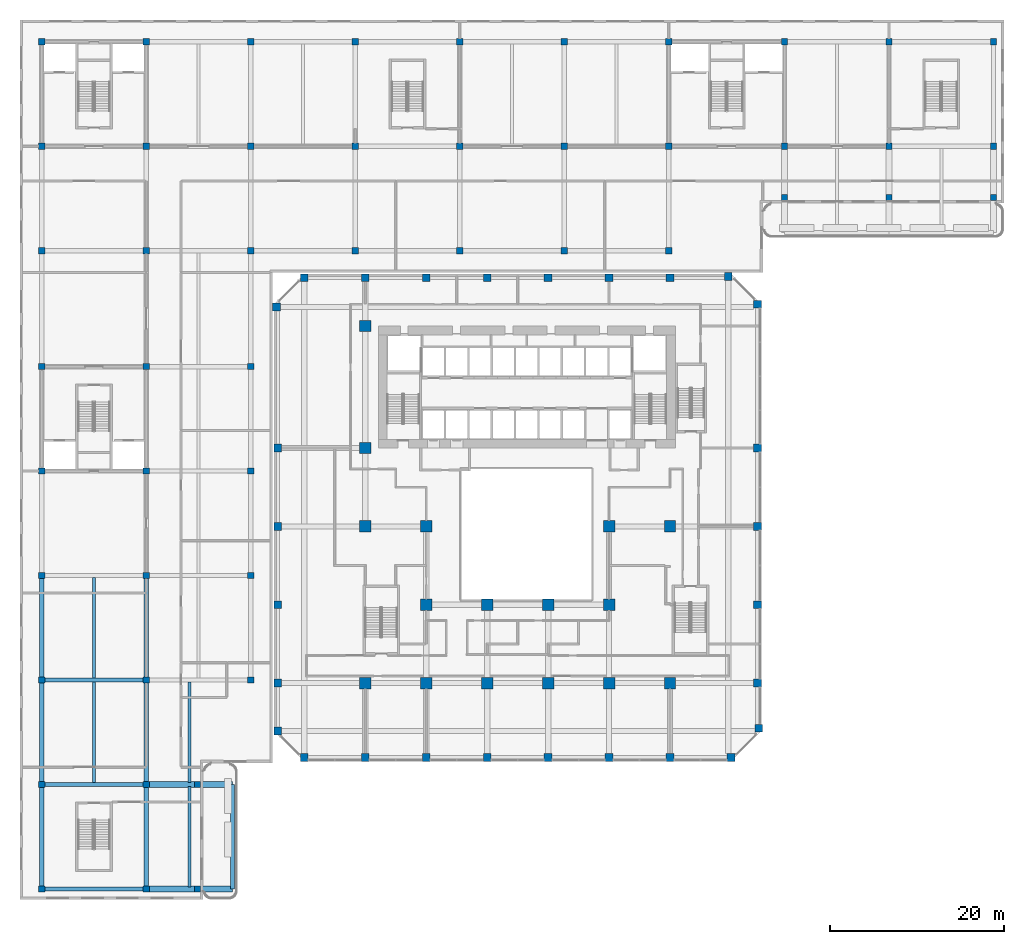
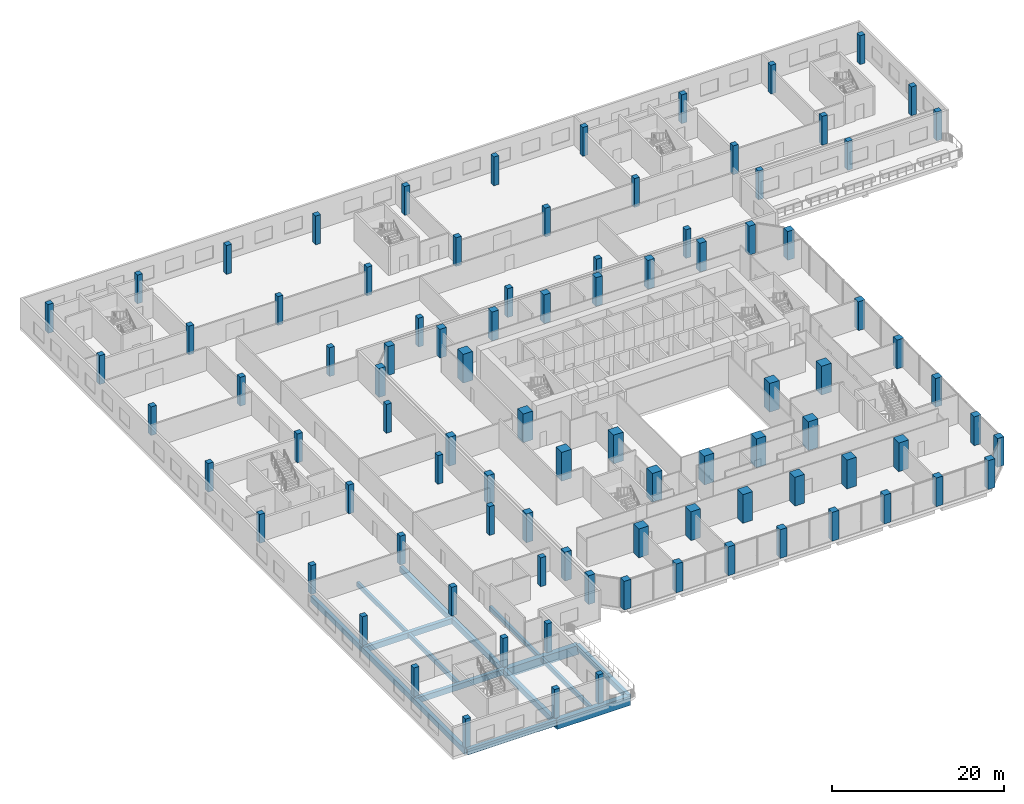
# One storey, part 1 of 36: 92 columns, 16 beams.
"""IFC4 building model written with IfcOpenShell, lengths in metres."""

from ifc_helpers import new_model, si_unit, direction, frame, origin, origin_2d, place, context, subcontext, project, spatial, rectangle, extrude, source, transform, mapped, material, material_profile, profile_set, type_object, element, save


model = new_model("IFC4")

# Units and contexts
model_context = context("Model", 3, precision=1e-05, world=origin(), true_north=direction((0.0, 1.0)))
body_context = subcontext(model_context, "Body", "Model", "MODEL_VIEW")
ifc_project = project(units=[si_unit("LENGTHUNIT", "METRE"), si_unit("AREAUNIT", "SQUARE_METRE"), si_unit("VOLUMEUNIT", "CUBIC_METRE"), si_unit("PLANEANGLEUNIT", "RADIAN"), si_unit("MASSUNIT", "GRAM", prefix="KILO")], contexts=[model_context])

# Site, building, storey
site_placement = place(None, origin())
site = spatial("IfcSite", under=ifc_project, at=site_placement, CompositionType="ELEMENT")
building_placement = place(site_placement, origin())
building = spatial("IfcBuilding", under=site, at=building_placement, Name="Kilnfold Tower and Market Hall", CompositionType="ELEMENT")
storey_placement = place(building_placement, frame((0.0, 0.0, 18.0)))
storey = spatial("IfcBuildingStorey", under=building, at=storey_placement, Name="L03", CompositionType="ELEMENT", Elevation=18.0)

# Columns
ifc_material_1 = material(Name="Concrete C80", Category="concrete")
ifc_material_profile_1 = material_profile(ifc_material_1, rectangle(XDim=0.89990234375, YDim=0.89990234375, at=origin_2d()), Name="RC 900x900")
ifc_profile_set_1 = profile_set([ifc_material_profile_1], Name="Concrete C80")
column_type_1 = type_object("IfcColumnType", Name="COLUMN 900X900 C80", PredefinedType="COLUMN", material=ifc_profile_set_1)
shared_shape_1 = source(origin(), body_context, "Body", "SweptSolid", [
    extrude(rectangle(XDim=0.89990234375, YDim=0.89990234375, at=origin_2d()), origin(), (0.0, 0.0, 1.0), 4.10009765625),
])
for number, where, z_axis, x_axis, name in (
    (1, (-27.681884765625, 24.181884765625, 0.0), (0.0, 0.0, 1.0), (1.0, 0.0, 0.0), "Column C-B1-1H"),
    (2, (-27.550048828125, -24.5, 0.0), (0.0, 0.0, 1.0), (1.0, 0.0, 0.0), "Column C-B1-1B"),
    (3, (-27.550048828125, -19.0, 0.0), (0.0, 0.0, 1.0), (1.0, 0.0, 0.0), "Column C-B1-1C"),
    (4, (-27.550048828125, -10.0, 0.0), (0.0, 0.0, 1.0), (1.0, 0.0, 0.0), "Column C-B1-1D"),
    (5, (-27.550048828125, -1.0, 0.0), (0.0, 0.0, 1.0), (1.0, 0.0, 0.0), "Column C-B1-1E"),
    (6, (-27.550048828125, 8.0, 0.0), (0.0, 0.0, 1.0), (1.0, 0.0, 0.0), "Column C-B1-1F"),
    (7, (-24.5, -27.550048828125, 0.0), (0.0, 0.0, 1.0), (1.0, 0.0, 0.0), "Column C-B1-2A"),
    (8, (-24.5, 27.550048828125, 0.0), (0.0, 0.0, 1.0), (1.0, 0.0, 0.0), "Column C-B1-2I"),
    (9, (-17.5, -27.550048828125, 0.0), (0.0, 0.0, 1.0), (1.0, 0.0, 0.0), "Column C-B1-3A"),
    (10, (-17.5, 27.550048828125, 0.0), (0.0, 0.0, 1.0), (1.0, 0.0, 0.0), "Column C-B1-3I"),
    (11, (-10.5, -27.550048828125, 0.0), (0.0, 0.0, 1.0), (1.0, 0.0, 0.0), "Column C-B1-4A"),
    (12, (-10.5, 27.550048828125, 0.0), (0.0, 0.0, 1.0), (1.0, 0.0, 0.0), "Column C-B1-4I"),
    (13, (-3.5, -27.550048828125, 0.0), (0.0, 0.0, 1.0), (1.0, 0.0, 0.0), "Column C-B1-5A"),
    (14, (-3.5, 27.550048828125, 0.0), (0.0, 0.0, 1.0), (1.0, 0.0, 0.0), "Column C-B1-5I"),
    (15, (3.5, -27.550048828125, 0.0), (0.0, 0.0, 1.0), (1.0, 0.0, 0.0), "Column C-B1-6A"),
    (16, (3.5, 27.550048828125, 0.0), (0.0, 0.0, 1.0), (1.0, 0.0, 0.0), "Column C-B1-6I"),
    (17, (10.5, -27.550048828125, 0.0), (0.0, 0.0, 1.0), (1.0, 0.0, 0.0), "Column C-B1-7A"),
    (18, (10.5, 27.550048828125, 0.0), (0.0, 0.0, 1.0), (1.0, 0.0, 0.0), "Column C-B1-7I"),
    (19, (17.5, -27.550048828125, 0.0), (0.0, 0.0, 1.0), (1.0, 0.0, 0.0), "Column C-B1-8A"),
    (20, (17.5, 27.550048828125, 0.0), (0.0, 0.0, 1.0), (1.0, 0.0, 0.0), "Column C-B1-8I"),
    (21, (24.181884765625, 27.681884765625, 0.0), (0.0, 0.0, 1.0), (1.0, 0.0, 0.0), "Column C-B1-9I"),
    (22, (24.5, -27.550048828125, 0.0), (0.0, 0.0, 1.0), (1.0, 0.0, 0.0), "Column C-B1-9A"),
    (23, (27.550048828125, -19.0, 0.0), (0.0, 0.0, 1.0), (1.0, 0.0, 0.0), "Column C-B1-10C"),
    (24, (27.550048828125, -10.0, 0.0), (0.0, 0.0, 1.0), (1.0, 0.0, 0.0), "Column C-B1-10D"),
    (25, (27.550048828125, -1.0, 0.0), (0.0, 0.0, 1.0), (1.0, 0.0, 0.0), "Column C-B1-10E"),
    (26, (27.550048828125, 8.0, 0.0), (0.0, 0.0, 1.0), (1.0, 0.0, 0.0), "Column C-B1-10F"),
    (27, (27.550048828125, 24.5, 0.0), (0.0, 0.0, 1.0), (1.0, 0.0, 0.0), "Column C-B1-10H"),
    (28, (27.681884765625, -24.181884765625, 0.0), (0.0, 0.0, 1.0), (1.0, 0.0, 0.0), "Column C-B1-10B"),
):
    element("IfcColumn", number, at=place(storey_placement, frame(where, z_axis=z_axis, x_axis=x_axis)), inside=storey, type_object=column_type_1, Name=name, PredefinedType="COLUMN", context=body_context, shape_type="MappedRepresentation", body=[
        mapped(shared_shape_1, transform((0.0, 0.0, 0.0))),
    ])
ifc_material_2 = material(Name="Concrete C80", Category="concrete")
ifc_material_profile_2 = material_profile(ifc_material_2, rectangle(XDim=1.300048828125, YDim=1.300048828125, at=origin_2d()), Name="RC 1300x1300")
ifc_profile_set_2 = profile_set([ifc_material_profile_2], Name="Concrete C80")
column_type_2 = type_object("IfcColumnType", Name="COLUMN 1300X1300 C80", PredefinedType="COLUMN", material=ifc_profile_set_2)
shared_shape_2 = source(origin(), body_context, "Body", "SweptSolid", [
    extrude(rectangle(XDim=1.300048828125, YDim=1.300048828125, at=origin_2d()), origin(), (0.0, 0.0, 1.0), 4.10009765625),
])
for number, where, z_axis, x_axis, name in (
    (29, (-17.5, -19.0, 0.0), (0.0, 0.0, 1.0), (1.0, 0.0, 0.0), "Column C-B1-3C"),
    (30, (-17.5, -1.0, 0.0), (0.0, 0.0, 1.0), (1.0, 0.0, 0.0), "Column C-B1-3E"),
    (31, (-17.5, 8.0, 0.0), (0.0, 0.0, 1.0), (1.0, 0.0, 0.0), "Column C-B1-3F"),
    (32, (-17.5, 22.0, 0.0), (0.0, 0.0, 1.0), (1.0, 0.0, 0.0), "Column C-B1-3G"),
    (33, (-10.5, -19.0, 0.0), (0.0, 0.0, 1.0), (1.0, 0.0, 0.0), "Column C-B1-4C"),
    (34, (-10.5, -10.0, 0.0), (0.0, 0.0, 1.0), (1.0, 0.0, 0.0), "Column C-B1-4D"),
    (35, (-10.5, -1.0, 0.0), (0.0, 0.0, 1.0), (1.0, 0.0, 0.0), "Column C-B1-4E"),
    (36, (-3.5, -19.0, 0.0), (0.0, 0.0, 1.0), (1.0, 0.0, 0.0), "Column C-B1-5C"),
    (37, (-3.5, -10.0, 0.0), (0.0, 0.0, 1.0), (1.0, 0.0, 0.0), "Column C-B1-5D"),
    (38, (3.5, -19.0, 0.0), (0.0, 0.0, 1.0), (1.0, 0.0, 0.0), "Column C-B1-6C"),
    (39, (3.5, -10.0, 0.0), (0.0, 0.0, 1.0), (1.0, 0.0, 0.0), "Column C-B1-6D"),
    (40, (10.5, -19.0, 0.0), (0.0, 0.0, 1.0), (1.0, 0.0, 0.0), "Column C-B1-7C"),
    (41, (10.5, -10.0, 0.0), (0.0, 0.0, 1.0), (1.0, 0.0, 0.0), "Column C-B1-7D"),
    (42, (10.5, -1.0, 0.0), (0.0, 0.0, 1.0), (1.0, 0.0, 0.0), "Column C-B1-7E"),
    (43, (17.5, -19.0, 0.0), (0.0, 0.0, 1.0), (1.0, 0.0, 0.0), "Column C-B1-8C"),
    (44, (17.5, -1.0, 0.0), (0.0, 0.0, 1.0), (1.0, 0.0, 0.0), "Column C-B1-8E"),
):
    element("IfcColumn", number, at=place(storey_placement, frame(where, z_axis=z_axis, x_axis=x_axis)), inside=storey, type_object=column_type_2, Name=name, PredefinedType="COLUMN", context=body_context, shape_type="MappedRepresentation", body=[
        mapped(shared_shape_2, transform((0.0, 0.0, 0.0))),
    ])
ifc_material_3 = material(Name="Concrete C45/55", Category="concrete")
ifc_material_profile_3 = material_profile(ifc_material_3, rectangle(XDim=0.699951171875, YDim=0.699951171875, at=origin_2d()), Name="RC 700x700")
ifc_profile_set_3 = profile_set([ifc_material_profile_3], Name="Concrete C45/55")
column_type_3 = type_object("IfcColumnType", Name="HALL COL 700", PredefinedType="COLUMN", material=ifc_profile_set_3)
shared_shape_3 = source(origin(), body_context, "Body", "SweptSolid", [
    extrude(rectangle(XDim=0.699951171875, YDim=0.699951171875, at=origin_2d()), origin(), (0.0, 0.0, 1.0), 4.10009765625),
])
for number, where, z_axis, x_axis, name in (
    (45, (-54.64990234375, -42.64990234375, 0.0), (0.0, 0.0, 1.0), (1.0, 0.0, 0.0), "Column MC-1A"),
    (46, (-54.64990234375, -30.64990234375, 0.0), (0.0, 0.0, 1.0), (1.0, 0.0, 0.0), "Column MC-1B"),
    (47, (-54.64990234375, -18.64990234375, 0.0), (0.0, 0.0, 1.0), (1.0, 0.0, 0.0), "Column MC-1C"),
    (48, (-54.64990234375, -6.64990234375, 0.0), (0.0, 0.0, 1.0), (1.0, 0.0, 0.0), "Column MC-1D"),
    (49, (-54.64990234375, 5.35009765625, 0.0), (0.0, 0.0, 1.0), (1.0, 0.0, 0.0), "Column MC-1E"),
    (50, (-54.64990234375, 17.35009765625, 0.0), (0.0, 0.0, 1.0), (1.0, 0.0, 0.0), "Column MC-1F"),
    (51, (-54.64990234375, 30.64990234375, 0.0), (0.0, 0.0, 1.0), (1.0, 0.0, 0.0), "Column MC-1G"),
    (52, (-54.64990234375, 42.64990234375, 0.0), (0.0, 0.0, 1.0), (1.0, 0.0, 0.0), "Column MC-1H"),
    (53, (-54.64990234375, 54.64990234375, 0.0), (0.0, 0.0, 1.0), (1.0, 0.0, 0.0), "Column MC-1I"),
    (54, (-42.64990234375, -42.64990234375, 0.0), (0.0, 0.0, 1.0), (1.0, 0.0, 0.0), "Column MC-2A"),
    (55, (-42.64990234375, -30.64990234375, 0.0), (0.0, 0.0, 1.0), (1.0, 0.0, 0.0), "Column MC-2B"),
    (56, (-42.64990234375, -18.64990234375, 0.0), (0.0, 0.0, 1.0), (1.0, 0.0, 0.0), "Column MC-2C"),
    (57, (-42.64990234375, -6.64990234375, 0.0), (0.0, 0.0, 1.0), (1.0, 0.0, 0.0), "Column MC-2D"),
    (58, (-42.64990234375, 5.35009765625, 0.0), (0.0, 0.0, 1.0), (1.0, 0.0, 0.0), "Column MC-2E"),
    (59, (-42.64990234375, 17.35009765625, 0.0), (0.0, 0.0, 1.0), (1.0, 0.0, 0.0), "Column MC-2F"),
    (60, (-42.64990234375, 30.64990234375, 0.0), (0.0, 0.0, 1.0), (1.0, 0.0, 0.0), "Column MC-2G"),
    (61, (-42.64990234375, 42.64990234375, 0.0), (0.0, 0.0, 1.0), (1.0, 0.0, 0.0), "Column MC-2H"),
    (62, (-42.64990234375, 54.64990234375, 0.0), (0.0, 0.0, 1.0), (1.0, 0.0, 0.0), "Column MC-2I"),
    (63, (-36.75, -42.64990234375, 0.0), (0.0, 0.0, 1.0), (1.0, 0.0, 0.0), "Column MC-E2A"),
    (64, (-36.75, -30.64990234375, 0.0), (0.0, 0.0, 1.0), (1.0, 0.0, 0.0), "Column MC-E2B"),
    (65, (-30.64990234375, -18.64990234375, 0.0), (0.0, 0.0, 1.0), (1.0, 0.0, 0.0), "Column MC-3C"),
    (66, (-30.64990234375, -6.64990234375, 0.0), (0.0, 0.0, 1.0), (1.0, 0.0, 0.0), "Column MC-3D"),
    (67, (-30.64990234375, 5.35009765625, 0.0), (0.0, 0.0, 1.0), (1.0, 0.0, 0.0), "Column MC-3E"),
    (68, (-30.64990234375, 17.35009765625, 0.0), (0.0, 0.0, 1.0), (1.0, 0.0, 0.0), "Column MC-3F"),
    (69, (-30.64990234375, 30.64990234375, 0.0), (0.0, 0.0, 1.0), (1.0, 0.0, 0.0), "Column MC-3G"),
    (70, (-30.64990234375, 42.64990234375, 0.0), (0.0, 0.0, 1.0), (1.0, 0.0, 0.0), "Column MC-3H"),
    (71, (-30.64990234375, 54.64990234375, 0.0), (0.0, 0.0, 1.0), (1.0, 0.0, 0.0), "Column MC-3I"),
    (72, (-18.64990234375, 30.64990234375, 0.0), (0.0, 0.0, 1.0), (1.0, 0.0, 0.0), "Column MC-4G"),
    (73, (-18.64990234375, 42.64990234375, 0.0), (0.0, 0.0, 1.0), (1.0, 0.0, 0.0), "Column MC-4H"),
    (74, (-18.64990234375, 54.64990234375, 0.0), (0.0, 0.0, 1.0), (1.0, 0.0, 0.0), "Column MC-4I"),
    (75, (-6.64990234375, 30.64990234375, 0.0), (0.0, 0.0, 1.0), (1.0, 0.0, 0.0), "Column MC-5G"),
    (76, (-6.64990234375, 42.64990234375, 0.0), (0.0, 0.0, 1.0), (1.0, 0.0, 0.0), "Column MC-5H"),
    (77, (-6.64990234375, 54.64990234375, 0.0), (0.0, 0.0, 1.0), (1.0, 0.0, 0.0), "Column MC-5I"),
    (78, (5.35009765625, 30.64990234375, 0.0), (0.0, 0.0, 1.0), (1.0, 0.0, 0.0), "Column MC-6G"),
    (79, (5.35009765625, 42.64990234375, 0.0), (0.0, 0.0, 1.0), (1.0, 0.0, 0.0), "Column MC-6H"),
    (80, (5.35009765625, 54.64990234375, 0.0), (0.0, 0.0, 1.0), (1.0, 0.0, 0.0), "Column MC-6I"),
    (81, (17.35009765625, 30.64990234375, 0.0), (0.0, 0.0, 1.0), (1.0, 0.0, 0.0), "Column MC-7G"),
    (82, (17.35009765625, 42.64990234375, 0.0), (0.0, 0.0, 1.0), (1.0, 0.0, 0.0), "Column MC-7H"),
    (83, (17.35009765625, 54.64990234375, 0.0), (0.0, 0.0, 1.0), (1.0, 0.0, 0.0), "Column MC-7I"),
    (84, (30.64990234375, 36.75, 0.0), (0.0, 0.0, 1.0), (1.0, 0.0, 0.0), "Column MC-E28"),
    (85, (30.64990234375, 42.64990234375, 0.0), (0.0, 0.0, 1.0), (1.0, 0.0, 0.0), "Column MC-8H"),
    (86, (30.64990234375, 54.64990234375, 0.0), (0.0, 0.0, 1.0), (1.0, 0.0, 0.0), "Column MC-8I"),
    (87, (42.64990234375, 36.75, 0.0), (0.0, 0.0, 1.0), (1.0, 0.0, 0.0), "Column MC-E29"),
    (88, (42.64990234375, 42.64990234375, 0.0), (0.0, 0.0, 1.0), (1.0, 0.0, 0.0), "Column MC-9H"),
    (89, (42.64990234375, 54.64990234375, 0.0), (0.0, 0.0, 1.0), (1.0, 0.0, 0.0), "Column MC-9I"),
    (90, (54.64990234375, 36.75, 0.0), (0.0, 0.0, 1.0), (1.0, 0.0, 0.0), "Column MC-E210"),
    (91, (54.64990234375, 42.64990234375, 0.0), (0.0, 0.0, 1.0), (1.0, 0.0, 0.0), "Column MC-10H"),
    (92, (54.64990234375, 54.64990234375, 0.0), (0.0, 0.0, 1.0), (1.0, 0.0, 0.0), "Column MC-10I"),
):
    element("IfcColumn", number, at=place(storey_placement, frame(where, z_axis=z_axis, x_axis=x_axis)), inside=storey, type_object=column_type_3, Name=name, PredefinedType="COLUMN", context=body_context, shape_type="MappedRepresentation", body=[
        mapped(shared_shape_3, transform((0.0, 0.0, 0.0))),
    ])

# Beams
ifc_material_4 = material(Name="Concrete C40/50", Category="concrete")
ifc_material_profile_4 = material_profile(ifc_material_4, rectangle(XDim=0.5, YDim=0.800048828125, at=origin_2d()), Name="RC 500x800")
ifc_profile_set_4 = profile_set([ifc_material_profile_4], Name="Concrete C40/50")
beam_type_1 = type_object("IfcBeamType", Name="HALL GIRDER 500X800", PredefinedType="BEAM", material=ifc_profile_set_4)
for number, where, z_axis, x_axis, name in (
    (93, (-54.64990234375, -42.64990234375, -0.800048828125), (0.0, 1.0, 0.0), (-1.0, 0.0, 0.0), "Beam MG2.1"),
    (94, (-54.64990234375, -42.64990234375, -0.800048828125), (1.0, 0.0, 0.0), (0.0, 1.0, 0.0), "Beam MG2.2"),
    (95, (-54.64990234375, -30.64990234375, -0.800048828125), (0.0, 1.0, 0.0), (-1.0, 0.0, 0.0), "Beam MG2.3"),
    (96, (-54.64990234375, -30.64990234375, -0.800048828125), (1.0, 0.0, 0.0), (0.0, 1.0, 0.0), "Beam MG2.4"),
    (97, (-54.64990234375, -18.64990234375, -0.800048828125), (0.0, 1.0, 0.0), (-1.0, 0.0, 0.0), "Beam MG2.5"),
    (98, (-54.64990234375, -18.64990234375, -0.800048828125), (1.0, 0.0, 0.0), (0.0, 1.0, 0.0), "Beam MG2.6"),
    (99, (-42.64990234375, -42.64990234375, -0.800048828125), (0.0, 1.0, 0.0), (-1.0, 0.0, 0.0), "Beam MG2.18"),
    (100, (-42.64990234375, -30.64990234375, -0.800048828125), (0.0, 1.0, 0.0), (-1.0, 0.0, 0.0), "Beam MG2.19"),
    (101, (-42.64990234375, -18.64990234375, -0.800048828125), (0.0, 1.0, 0.0), (-1.0, 0.0, 0.0), "Beam MG2.20"),
    (102, (-32.75, -42.64990234375, -0.800048828125), (0.0, 1.0, 0.0), (-1.0, 0.0, 0.0), "Beam MG2.33"),
):
    element("IfcBeam", number, at=place(storey_placement, frame(where, z_axis=z_axis, x_axis=x_axis)), inside=storey, type_object=beam_type_1, Name=name, PredefinedType="BEAM", context=body_context, shape_type="SweptSolid", body=[
        extrude(rectangle(XDim=0.5, YDim=0.800048828125, at=origin_2d()), origin(), (0.0, 0.0, 1.0), 12.0),
    ])
ifc_material_5 = material(Name="Concrete C40/50", Category="concrete")
ifc_material_profile_5 = material_profile(ifc_material_5, rectangle(XDim=0.35009765625, YDim=0.60009765625, at=origin_2d()), Name="RC 350x600")
ifc_profile_set_5 = profile_set([ifc_material_profile_5], Name="Concrete C40/50")
beam_type_2 = type_object("IfcBeamType", Name="HALL JOIST 350X600", PredefinedType="BEAM", material=ifc_profile_set_5)
for number, where, z_axis, x_axis, name in (
    (103, (-48.64990234375, -30.39990234375, -0.699951171875), (0.0, 1.0, 0.0), (-1.0, 0.0, 0.0), "Beam MJ1.1"),
    (104, (-48.64990234375, -18.39990234375, -0.699951171875), (0.0, 1.0, 0.0), (-1.0, 0.0, 0.0), "Beam MJ1.2"),
    (105, (-37.699951171875, -42.39990234375, -0.699951171875), (0.0, 1.0, 0.0), (-1.0, 0.0, 0.0), "Beam MJ1.3"),
    (106, (-37.699951171875, -30.39990234375, -0.699951171875), (0.0, 1.0, 0.0), (-1.0, 0.0, 0.0), "Beam MJ1.4"),
):
    element("IfcBeam", number, at=place(storey_placement, frame(where, z_axis=z_axis, x_axis=x_axis)), inside=storey, type_object=beam_type_2, Name=name, PredefinedType="BEAM", context=body_context, shape_type="SweptSolid", body=[
        extrude(rectangle(XDim=0.35009765625, YDim=0.60009765625, at=origin_2d()), origin(), (0.0, 0.0, 1.0), 11.5),
    ])
ifc_material_6 = material(Name="Concrete C45/55", Category="concrete")
ifc_material_profile_6 = material_profile(ifc_material_6, rectangle(XDim=0.699951171875, YDim=1.300048828125, at=origin_2d()), Name="RC 700x1300")
ifc_profile_set_6 = profile_set([ifc_material_profile_6], Name="Concrete C45/55")
beam_type_3 = type_object("IfcBeamType", Name="HALL TRANSFER 700X1300", PredefinedType="BEAM", material=ifc_profile_set_6)
for number, where, z_axis, x_axis, name in (
    (107, (-42.64990234375, -42.64990234375, -1.050048828125), (1.0, 0.0, 0.0), (0.0, 1.0, 0.0), "Beam MT1.1"),
    (108, (-42.64990234375, -30.64990234375, -1.050048828125), (1.0, 0.0, 0.0), (0.0, 1.0, 0.0), "Beam MT1.2"),
):
    element("IfcBeam", number, at=place(storey_placement, frame(where, z_axis=z_axis, x_axis=x_axis)), inside=storey, type_object=beam_type_3, Name=name, PredefinedType="BEAM", context=body_context, shape_type="SweptSolid", body=[
        extrude(rectangle(XDim=0.699951171875, YDim=1.300048828125, at=origin_2d()), origin(), (0.0, 0.0, 1.0), 9.89990234375),
    ])

save(model, "model.ifc")
